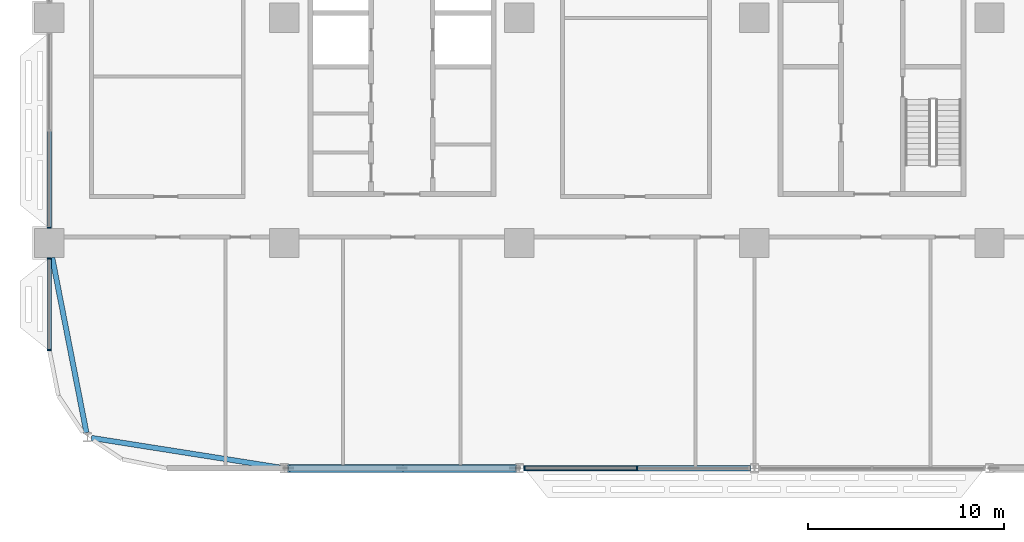
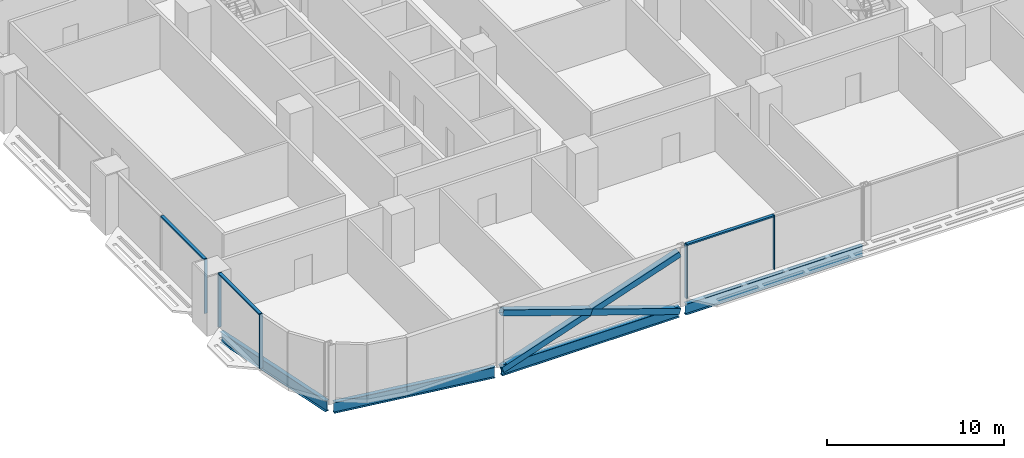
# One storey, part 3 of 29: 11 members, 4 beams, 3 elements without a shape of their own.
"""IFC4 building model written with IfcOpenShell, lengths in metres."""

from ifc_helpers import new_model, si_unit, direction, frame, origin, origin_2d, place, context, subcontext, project, spatial, rectangle, hollow_rectangle, i_section, extrude, material, material_profile, profile_set, type_object, element, aggregate, save


model = new_model("IFC4")

# Units and contexts
model_context = context("Model", 3, precision=1e-05, world=origin(), true_north=direction((0.0, 1.0)))
body_context = subcontext(model_context, "Body", "Model", "MODEL_VIEW")
ifc_project = project(units=[si_unit("LENGTHUNIT", "METRE"), si_unit("AREAUNIT", "SQUARE_METRE"), si_unit("VOLUMEUNIT", "CUBIC_METRE"), si_unit("PLANEANGLEUNIT", "RADIAN"), si_unit("MASSUNIT", "GRAM", prefix="KILO")], contexts=[model_context])

# Site, building, storey
site_placement = place(None, origin())
site = spatial("IfcSite", under=ifc_project, at=site_placement, CompositionType="ELEMENT")
building_placement = place(site_placement, origin())
building = spatial("IfcBuilding", under=site, at=building_placement, Name="Mahtab Terrace Research Tower", CompositionType="ELEMENT")
storey_placement = place(building_placement, frame((0.0, 0.0, 76.10009765625)))
storey = spatial("IfcBuildingStorey", under=building, at=storey_placement, Name="L17", CompositionType="ELEMENT", Elevation=76.10009765625)

# Members
ifc_material_1 = material(Name="Steel ASTM A500 Gr C", Category="steel")
ifc_material_profile_1 = material_profile(ifc_material_1, hollow_rectangle(XDim=0.406494140625, YDim=0.406494140625, WallThickness=0.01904296875, at=origin_2d()), Name="HSS16X16X3/4")
ifc_profile_set_1 = profile_set([ifc_material_profile_1], Name="Steel ASTM A500 Gr C")
member_type_1 = type_object("IfcMemberType", Name="HSS 16x16x3/4 brace XB161634", PredefinedType="BRACE", material=ifc_profile_set_1)
member_1_placement = place(storey_placement, frame((-29.787841796875, -23.0, -0.646240234375), z_axis=(0.946533742382, 0.0, 0.322604827201), x_axis=(0.0, 1.0, 0.0)))
element("IfcMember", 1, at=member_1_placement, inside=storey, type_object=member_type_1, Name="Exoskeleton brace L17 14 a", PredefinedType="BRACE", context=body_context, shape_type="SweptSolid", body=[
    extrude(hollow_rectangle(XDim=0.406494140625, YDim=0.406494140625, WallThickness=0.01904296875, at=origin_2d()), origin(), (0.0, 0.0, 1.0), 12.2294921875),
])
for number, where, z_axis, x_axis, name in (
    (2, (-18.212158203125, -23.0, -0.646240234375), (-0.946533742382, 0.0, 0.322604827201), (0.0, -1.0, 0.0), "Exoskeleton brace L17 14 b1"),
    (3, (-24.0, -23.0, 1.326416015625), (-0.946533742382, 0.0, 0.322604827201), (0.0, -1.0, 0.0), "Exoskeleton brace L17 14 b2"),
):
    element("IfcMember", number, at=place(storey_placement, frame(where, z_axis=z_axis, x_axis=x_axis)), inside=storey, type_object=member_type_1, Name=name, PredefinedType="BRACE", context=body_context, shape_type="SweptSolid", body=[
        extrude(hollow_rectangle(XDim=0.406494140625, YDim=0.406494140625, WallThickness=0.01904296875, at=origin_2d()), origin(), (0.0, 0.0, 1.0), 6.11474609375),
    ])

# Curtain wall, member
ifc_material_2 = material(Name="Laboratory ribbon curtain wall")
curtain_wall_type = type_object("IfcCurtainWallType", Name="Laboratory ribbon curtain wall", PredefinedType="NOTDEFINED", material=ifc_material_2)
curtain_wall_1_placement = place(storey_placement, origin())
curtain_wall_1 = element("IfcCurtainWall", 4, at=curtain_wall_1_placement, inside=storey, type_object=curtain_wall_type, Name="EN.L17.8.17", PredefinedType="NOTDEFINED")
ifc_material_3 = material(Name="Natural anodised aluminium", Category="aluminium")
ifc_material_profile_2 = material_profile(ifc_material_3, rectangle(XDim=0.199951171875, YDim=0.06494140625, at=origin_2d()), Name="MULLION 65x200")
ifc_profile_set_2 = profile_set([ifc_material_profile_2], Name="Natural anodised aluminium")
member_type_2 = type_object("IfcMemberType", Name="Laboratory ribbon curtain wall mullion", PredefinedType="MULLION", material=ifc_profile_set_2)
member_2_placement = place(storey_placement, frame((-42.0, -10.717529296875, 0.0), z_axis=(0.0, 0.0, 1.0), x_axis=(1.0, 0.0, 0.0)))
member_2 = element("IfcMember", 5, at=member_2_placement, type_object=member_type_2, Name="CWL-2 mullion 3", PredefinedType="MULLION", context=body_context, shape_type="SweptSolid", body=[
    extrude(rectangle(XDim=0.199951171875, YDim=0.06494140625, at=origin_2d()), origin(), (0.0, 0.0, 1.0), 3.75),
])

# Curtain wall, members
curtain_wall_2_placement = place(storey_placement, origin())
curtain_wall_2 = element("IfcCurtainWall", 6, at=curtain_wall_2_placement, inside=storey, type_object=curtain_wall_type, Name="EN.L17.8.18", PredefinedType="NOTDEFINED")
member_3_placement = place(storey_placement, frame((-42.0, -12.282470703125, 0.0), z_axis=(0.0, 0.0, 1.0), x_axis=(1.0, 0.0, 0.0)))
member_3 = element("IfcMember", 7, at=member_3_placement, type_object=member_type_2, Name="CWL-2 mullion 1", PredefinedType="MULLION", context=body_context, shape_type="SweptSolid", body=[
    extrude(rectangle(XDim=0.199951171875, YDim=0.06494140625, at=origin_2d()), origin(), (0.0, 0.0, 1.0), 3.75),
])
member_4_placement = place(storey_placement, frame((-42.0, -16.967529296875, 0.0), z_axis=(0.0, 0.0, 1.0), x_axis=(1.0, 0.0, 0.0)))
member_4 = element("IfcMember", 8, at=member_4_placement, type_object=member_type_2, Name="CWL-2 mullion 2", PredefinedType="MULLION", context=body_context, shape_type="SweptSolid", body=[
    extrude(rectangle(XDim=0.199951171875, YDim=0.06494140625, at=origin_2d()), origin(), (0.0, 0.0, 1.0), 3.75),
])

curtain_wall_3_placement = place(storey_placement, origin())
curtain_wall_3 = element("IfcCurtainWall", 9, at=curtain_wall_3_placement, inside=storey, type_object=curtain_wall_type, Name="EN.L17.13.25", PredefinedType="NOTDEFINED")
member_5_placement = place(storey_placement, frame((-17.7294921875, -23.0, 0.0), z_axis=(0.0, 0.0, 1.0), x_axis=(0.0, 1.0, 0.0)))
member_5 = element("IfcMember", 10, at=member_5_placement, type_object=member_type_2, Name="CWL-2 mullion 1", PredefinedType="MULLION", context=body_context, shape_type="SweptSolid", body=[
    extrude(rectangle(XDim=0.199951171875, YDim=0.06494140625, at=origin_2d()), origin(), (0.0, 0.0, 1.0), 3.75),
])
member_6_placement = place(storey_placement, frame((-12.0, -23.0, 0.0), z_axis=(0.0, 0.0, 1.0), x_axis=(0.0, 1.0, 0.0)))
member_6 = element("IfcMember", 11, at=member_6_placement, type_object=member_type_2, Name="CWL-2 mullion 2", PredefinedType="MULLION", context=body_context, shape_type="SweptSolid", body=[
    extrude(rectangle(XDim=0.199951171875, YDim=0.06494140625, at=origin_2d()), origin(), (0.0, 0.0, 1.0), 3.75),
])

# Member
ifc_material_profile_3 = material_profile(ifc_material_3, rectangle(XDim=0.199951171875, YDim=0.10009765625, at=origin_2d()), Name="TRANSOM 100x200")
ifc_profile_set_3 = profile_set([ifc_material_profile_3], Name="Natural anodised aluminium")
member_type_3 = type_object("IfcMemberType", Name="Laboratory ribbon curtain wall transom", PredefinedType="USERDEFINED", material=ifc_profile_set_3)
member_7_placement = place(storey_placement, frame((-42.0, -5.782470703125, 3.699951171875), z_axis=(0.0, -1.0, 0.0), x_axis=(1.0, 0.0, 0.0)))
member_7 = element("IfcMember", 12, at=member_7_placement, type_object=member_type_3, Name="CWL-2 transom 2", ObjectType="TRANSOM", PredefinedType="USERDEFINED", context=body_context, shape_type="SweptSolid", body=[
    extrude(rectangle(XDim=0.199951171875, YDim=0.10009765625, at=origin_2d()), origin(), (0.0, 0.0, 1.0), 4.902587890625),
])

aggregate(curtain_wall_1, [member_2, member_7])

member_8_placement = place(storey_placement, frame((-42.0, -12.31494140625, 3.699951171875), z_axis=(0.0, -1.0, 0.0), x_axis=(1.0, 0.0, 0.0)))
member_8 = element("IfcMember", 13, at=member_8_placement, type_object=member_type_3, Name="CWL-2 transom 1", ObjectType="TRANSOM", PredefinedType="USERDEFINED", context=body_context, shape_type="SweptSolid", body=[
    extrude(rectangle(XDim=0.199951171875, YDim=0.10009765625, at=origin_2d()), origin(), (0.0, 0.0, 1.0), 4.6201171875),
])

aggregate(curtain_wall_2, [member_3, member_4, member_8])

member_9_placement = place(storey_placement, frame((-17.697021484375, -23.0, 3.699951171875), z_axis=(1.0, 0.0, 0.0), x_axis=(0.0, 1.0, 0.0)))
member_9 = element("IfcMember", 14, at=member_9_placement, type_object=member_type_3, Name="CWL-2 transom 1", ObjectType="TRANSOM", PredefinedType="USERDEFINED", context=body_context, shape_type="SweptSolid", body=[
    extrude(rectangle(XDim=0.199951171875, YDim=0.10009765625, at=origin_2d()), origin(), (0.0, 0.0, 1.0), 5.66455078125),
])

aggregate(curtain_wall_3, [member_5, member_6, member_9])

# Beams
ifc_material_4 = material(Name="Steel ASTM A992 Gr 50", Category="steel")
ifc_material_profile_4 = material_profile(ifc_material_4, i_section(OverallWidth=0.2666015625, OverallDepth=0.7568359375, WebThickness=0.013916015625, FlangeThickness=0.019287109375, at=origin_2d()), Name="W30X108")
ifc_profile_set_4 = profile_set([ifc_material_profile_4], Name="Steel ASTM A992 Gr 50")
beam_type = type_object("IfcBeamType", Name="W30x108 beam BS30108", PredefinedType="BEAM", material=ifc_profile_set_4)
beam_1_placement = place(storey_placement, frame((-41.853515625, -12.25, -0.718505859375), z_axis=(0.191825617976, -0.981429025599, 0.0), x_axis=(0.981429025599, 0.191825617976, 0.0)))
element("IfcBeam", 15, at=beam_1_placement, inside=storey, type_object=beam_type, Name="Spandrel beam L17 12", PredefinedType="BEAM", context=body_context, shape_type="SweptSolid", body=[
    extrude(i_section(OverallWidth=0.2666015625, OverallDepth=0.7568359375, WebThickness=0.013916015625, FlangeThickness=0.019287109375, at=origin_2d()), origin(), (0.0, 0.0, 1.0), 9.097412109375),
])
beam_2_placement = place(storey_placement, frame((-39.849853515625, -21.449462890625, -0.718505859375), z_axis=(0.987836303792, -0.155497385545, 0.0), x_axis=(0.155497385545, 0.987836303792, 0.0)))
element("IfcBeam", 16, at=beam_2_placement, inside=storey, type_object=beam_type, Name="Spandrel beam L17 13", PredefinedType="BEAM", context=body_context, shape_type="SweptSolid", body=[
    extrude(i_section(OverallWidth=0.2666015625, OverallDepth=0.7568359375, WebThickness=0.013916015625, FlangeThickness=0.019287109375, at=origin_2d()), origin(), (0.0, 0.0, 1.0), 9.75634765625),
])
for number, where, z_axis, x_axis, name in (
    (17, (-29.787841796875, -23.0, -0.718505859375), (1.0, 0.0, 0.0), (0.0, 1.0, 0.0), "Spandrel beam L17 14"),
    (18, (-17.787841796875, -23.0, -0.718505859375), (1.0, 0.0, 0.0), (0.0, 1.0, 0.0), "Spandrel beam L17 15"),
):
    element("IfcBeam", number, at=place(storey_placement, frame(where, z_axis=z_axis, x_axis=x_axis)), inside=storey, type_object=beam_type, Name=name, PredefinedType="BEAM", context=body_context, shape_type="SweptSolid", body=[
        extrude(i_section(OverallWidth=0.2666015625, OverallDepth=0.7568359375, WebThickness=0.013916015625, FlangeThickness=0.019287109375, at=origin_2d()), origin(), (0.0, 0.0, 1.0), 11.57568359375),
    ])

save(model, "model.ifc")
